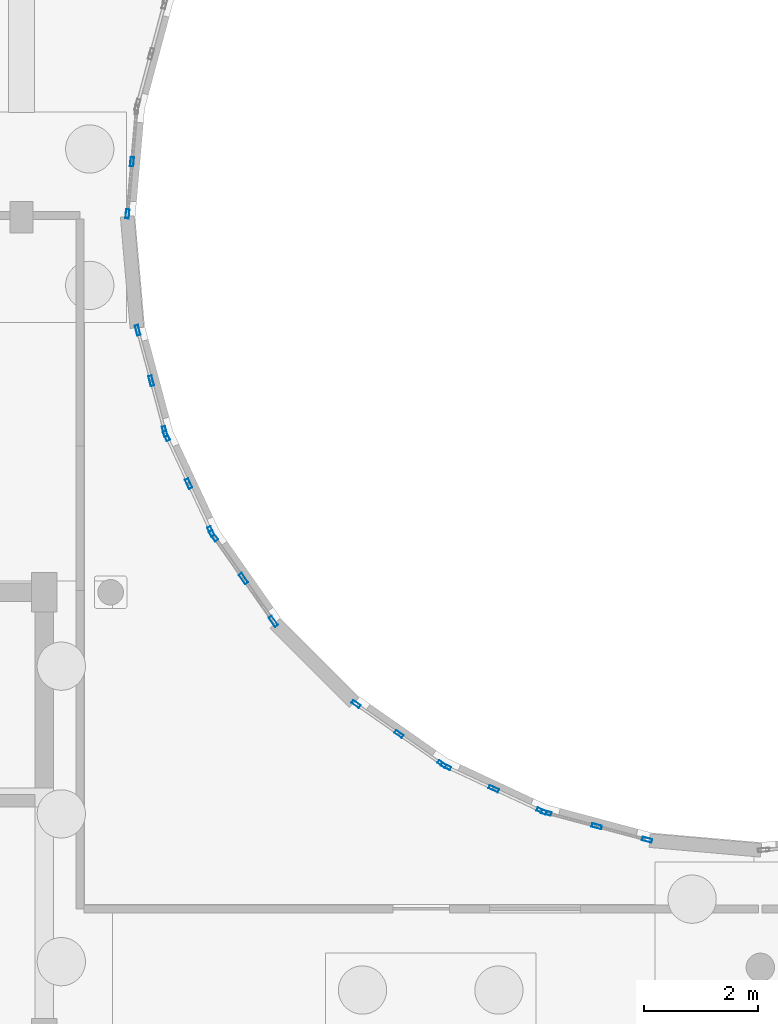
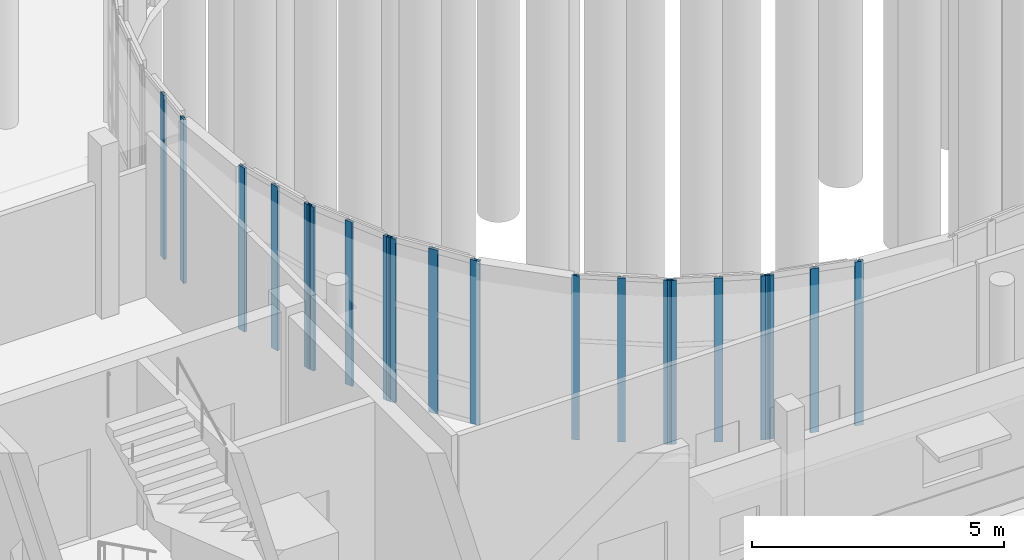
# One storey, part 28 of 93: 20 members, 7 elements without a shape of their own.
"""IFC4 building model written with IfcOpenShell, lengths in metres."""

import ifcopenshell
import ifcopenshell.guid

model = None  # the IFC model being written
_history = None  # IfcOwnerHistory: only IFC2X3 demands one
_inside = {}  # id of a spatial element -> (the spatial element, [elements in it])
_under = {}  # id of a project, library or spatial element -> (it, [spatial elements below it])
_declared = {}  # id of a project -> (the project, [libraries it declares])
_typed = {}  # id of a type object -> (the type object, [elements of that type])
_made_of = {}  # id of a material, layer set ... -> (it, [elements and type objects made of it])


def new_model(schema):
    """Start an empty IFC model of exactly this schema.

    Asked for "IFC4X3", IfcOpenShell would pick the latest addendum, in which some entities
    have other attributes; the version numbers below select the first issue.
    IFC2X3 requires an IfcOwnerHistory on every rooted entity: one is made here for all.
    """
    global model, _history
    if schema == "IFC4X3":
        model = ifcopenshell.file(schema_version=(4, 3, 0, 0))
    else:
        model = ifcopenshell.file(schema=schema)
    _inside.clear()
    _under.clear()
    _declared.clear()
    _typed.clear()
    _made_of.clear()
    _history = None
    if model.schema == "IFC2X3":
        org = make("IfcOrganization", Name="unknown")
        user = make(
            "IfcPersonAndOrganization",
            ThePerson=make("IfcPerson", FamilyName="unknown"),
            TheOrganization=org,
        )
        app = make(
            "IfcApplication",
            ApplicationDeveloper=org,
            Version="unknown",
            ApplicationFullName="unknown",
            ApplicationIdentifier="unknown",
        )
        _history = make(
            "IfcOwnerHistory",
            OwningUser=user,
            OwningApplication=app,
            ChangeAction="ADDED",
            CreationDate=0,
        )
    return model


def make(cls, **values):
    """One entity of the class cls with the attributes given. An attribute that is None is left unset."""
    return model.create_entity(
        cls, **{name: value for name, value in values.items() if value is not None}
    )


def rooted(cls, **values):
    """An entity with a GlobalId (a new one), such as an element, a storey or a relation."""
    return make(cls, GlobalId=ifcopenshell.guid.new(), OwnerHistory=_history, **values)


def si_unit(unit_type, name, prefix=None):
    """IfcSIUnit, for example si_unit("LENGTHUNIT", "METRE", prefix="MILLI")."""
    return make("IfcSIUnit", UnitType=unit_type, Prefix=prefix, Name=name)


def assignment(units):
    """IfcUnitAssignment: the units of a project."""
    return None if units is None else make("IfcUnitAssignment", Units=units)


def point(xyz):
    """IfcCartesianPoint."""
    return None if xyz is None else make("IfcCartesianPoint", Coordinates=xyz)


def direction(xyz):
    """IfcDirection."""
    return None if xyz is None else make("IfcDirection", DirectionRatios=xyz)


def frame(location, z_axis=None, x_axis=None):
    """IfcAxis2Placement3D, a coordinate frame: its origin and axes. An axis left out is left unset."""
    return make(
        "IfcAxis2Placement3D",
        Location=point(location),
        Axis=direction(z_axis),
        RefDirection=direction(x_axis),
    )


def frame_2d(location, x_axis=None):
    """IfcAxis2Placement2D, a coordinate frame in the plane: its origin and x axis."""
    return make(
        "IfcAxis2Placement2D", Location=point(location), RefDirection=direction(x_axis)
    )


def origin():
    """The frame at (0, 0, 0) with its axes left unset."""
    return frame((0.0, 0.0, 0.0))


def origin_2d():
    """The frame at (0, 0) in the plane with its x axis left unset."""
    return frame_2d((0.0, 0.0))


def place(relative_to, where):
    """IfcLocalPlacement: puts the frame where relative to a parent placement (None: the world)."""
    return make(
        "IfcLocalPlacement", PlacementRelTo=relative_to, RelativePlacement=where
    )


def context(
    kind, dimensions, precision=None, world=None, true_north=None, identifier=None
):
    """IfcGeometricRepresentationContext, for example the 3D "Model" context."""
    return make(
        "IfcGeometricRepresentationContext",
        ContextIdentifier=identifier,
        ContextType=kind,
        CoordinateSpaceDimension=dimensions,
        Precision=precision,
        WorldCoordinateSystem=world,
        TrueNorth=true_north,
    )


def subcontext(parent, identifier, kind, view, scale=None):
    """IfcGeometricRepresentationSubContext, for example "Body" below "Model"."""
    return make(
        "IfcGeometricRepresentationSubContext",
        ContextIdentifier=identifier,
        ContextType=kind,
        ParentContext=parent,
        TargetScale=scale,
        TargetView=view,
    )


def project(units=None, contexts=None):
    """IfcProject with its units and contexts."""
    return rooted(
        "IfcProject",
        Name="project",
        RepresentationContexts=contexts,
        UnitsInContext=assignment(units),
    )


def spatial(cls, under=None, at=None, **own):
    """A site, building, storey or space (cls), placed at a placement, below another one or the project."""
    s = rooted(cls, ObjectPlacement=at, **own)
    if under is not None:
        _under.setdefault(under.id(), (under, []))[1].append(s)
    return s


def profile(cls, at=None, kind="AREA", **sizes):
    """A parametric profile (cls). Its sizes go by their IFC names, for example OverallWidth=200.0."""
    return make(cls, ProfileType=kind, Position=at, **sizes)


def hollow_rectangle(**sizes):
    """IfcRectangleHollowProfileDef."""
    return profile("IfcRectangleHollowProfileDef", **sizes)


def extrude(swept, where, along, depth):
    """IfcExtrudedAreaSolid: the profile swept, set in the frame where, extruded along a direction by depth."""
    return make(
        "IfcExtrudedAreaSolid",
        SweptArea=swept,
        Position=where,
        ExtrudedDirection=direction(along),
        Depth=depth,
    )


def shape(context_of_items, identifier, shape_type, items):
    """IfcShapeRepresentation: the items that make up one representation, for example the "Body"."""
    return make(
        "IfcShapeRepresentation",
        ContextOfItems=context_of_items,
        RepresentationIdentifier=identifier,
        RepresentationType=shape_type,
        Items=items,
    )


def material(Name=None, Category=None):
    """IfcMaterial."""
    return make("IfcMaterial", Name=Name, Category=Category)


def layer(
    of_material, thickness, ventilated=None, Name=None, Category=None, Priority=None
):
    """IfcMaterialLayer: one layer of a wall or slab, of a material (None: an air gap)."""
    return make(
        "IfcMaterialLayer",
        Material=of_material,
        LayerThickness=thickness,
        IsVentilated=ventilated,
        Name=Name,
        Category=Category,
        Priority=Priority,
    )


def layer_set(layers, Name=None):
    """IfcMaterialLayerSet."""
    return make("IfcMaterialLayerSet", MaterialLayers=layers, LayerSetName=Name)


def material_profile(
    of_material, cross_section, Name=None, Category=None, Priority=None
):
    """IfcMaterialProfile: a cross section and its material."""
    return make(
        "IfcMaterialProfile",
        Name=Name,
        Material=of_material,
        Profile=cross_section,
        Priority=Priority,
        Category=Category,
    )


def profile_set(profiles, Name=None, composite=None):
    """IfcMaterialProfileSet."""
    return make(
        "IfcMaterialProfileSet",
        Name=Name,
        MaterialProfiles=profiles,
        CompositeProfile=composite,
    )


def made_of(thing, what):
    """Note that an element or type object is made of a material, layer set ...; save() writes the relation."""
    if what is not None:
        _made_of.setdefault(what.id(), (what, []))[1].append(thing)
    return thing


def type_object(cls, material=None, **own):
    """A type object (cls), such as IfcWallType, which elements share."""
    return made_of(rooted(cls, **own), material)


def element(
    cls,
    number,
    at=None,
    inside=None,
    cuts=None,
    type_object=None,
    material=None,
    context=None,
    identifier="Body",
    shape_type=None,
    held_by="IfcProductDefinitionShape",
    body=None,
    shapes=None,
    **own,
):
    """One element of the class cls, such as IfcWall. Its Tag is "e" and its number.

    at: its placement. inside: the storey or other place that contains it. cuts: it is an
    opening in that element (IfcRelVoidsElement). A single representation is given by context,
    identifier, shape_type and body (its items); several are given by shapes. held_by: the class
    of the entity that holds the representations. save() writes the other relations.
    """
    e = rooted(cls, Tag="e%d" % number, ObjectPlacement=at, **own)
    if body is not None:
        shapes = [shape(context, identifier, shape_type, body)]
    if shapes is not None:
        e.Representation = make(held_by, Representations=shapes)
    if inside is not None:
        _inside.setdefault(inside.id(), (inside, []))[1].append(e)
    if cuts is not None:
        rooted(
            "IfcRelVoidsElement", RelatingBuildingElement=cuts, RelatedOpeningElement=e
        )
    if type_object is not None:
        _typed.setdefault(type_object.id(), (type_object, []))[1].append(e)
    return made_of(e, material)


def aggregate(whole, parts):
    """IfcRelAggregates: a whole, such as a stair, and the parts it consists of."""
    return rooted("IfcRelAggregates", RelatingObject=whole, RelatedObjects=parts)


def save(model, path):
    """Write the relations noted so far, then the file.

    IfcRelAggregates (storeys below a building ...), IfcRelContainedInSpatialStructure (elements
    in a storey), IfcRelDefinesByType, IfcRelAssociatesMaterial and IfcRelDeclares: one each for
    every whole, place, type object, material and project.
    """
    for whole, parts in _under.values():
        aggregate(whole, parts)
    for where, things in _inside.values():
        rooted(
            "IfcRelContainedInSpatialStructure",
            RelatedElements=things,
            RelatingStructure=where,
        )
    for kind, things in _typed.values():
        rooted("IfcRelDefinesByType", RelatedObjects=things, RelatingType=kind)
    for what, things in _made_of.values():
        rooted("IfcRelAssociatesMaterial", RelatedObjects=things, RelatingMaterial=what)
    for by, libraries in _declared.values():
        rooted("IfcRelDeclares", RelatingContext=by, RelatedDefinitions=libraries)
    model.write(path)


model = new_model("IFC4")

# Units and contexts
model_context = context("Model", 3, precision=1e-05, world=origin(), true_north=direction((0.0, 1.0)))
body_context = subcontext(model_context, "Body", "Model", "MODEL_VIEW")
ifc_project = project(units=[si_unit("LENGTHUNIT", "METRE"), si_unit("AREAUNIT", "SQUARE_METRE"), si_unit("VOLUMEUNIT", "CUBIC_METRE"), si_unit("PLANEANGLEUNIT", "RADIAN"), si_unit("MASSUNIT", "GRAM", prefix="KILO")], contexts=[model_context])

# Site, building, storey
site_placement = place(None, origin())
site = spatial("IfcSite", under=ifc_project, at=site_placement, CompositionType="ELEMENT")
building_placement = place(site_placement, origin())
building = spatial("IfcBuilding", under=site, at=building_placement, Name="Kelanivale Promenade Academy", CompositionType="ELEMENT")
storey_placement = place(building_placement, origin())
storey = spatial("IfcBuildingStorey", under=building, at=storey_placement, Name="L00", CompositionType="ELEMENT", Elevation=0.0)

# Curtain wall, members
ifc_material_1 = material(Name="Bronze anodised aluminium and solar-control low-E glass", Category="aluminium")
ifc_layer_1 = layer(ifc_material_1, 0.169921875)
ifc_layer_set_1 = layer_set([ifc_layer_1], Name="Bronze anodised aluminium and solar-control low-E glass")
curtain_wall_type_1 = type_object("IfcCurtainWallType", Name="CW-13 Curtain Wall 1350mm Module", PredefinedType="USERDEFINED", material=ifc_layer_set_1)
curtain_wall_1_placement = place(storey_placement, origin())
curtain_wall_1 = element("IfcCurtainWall", 1, at=curtain_wall_1_placement, inside=storey, type_object=curtain_wall_type_1, Name="L00 courtyard curtain wall CW-13", ObjectType="COURTYARD SCREEN GLAZING", PredefinedType="USERDEFINED")
ifc_material_2 = material(Name="Bronze anodised aluminium EN AW-6063 T6", Category="aluminium")
ifc_material_profile_1 = material_profile(ifc_material_2, hollow_rectangle(XDim=0.06005859375, YDim=0.159912109375, WallThickness=0.00390625, at=origin_2d()), Name="ALU 60x160x4.0")
ifc_profile_set_1 = profile_set([ifc_material_profile_1], Name="Bronze anodised aluminium EN AW-6063 T6")
member_type_1 = type_object("IfcMemberType", Name="CWM-01 ALU 60x160x4.0", PredefinedType="MULLION", material=ifc_profile_set_1)
member_1_placement = place(storey_placement, frame((52.344970703125, 57.7744140625, 0.0), z_axis=(0.0, 0.0, 1.0), x_axis=(0.996185153601, -0.087264768066, 0.0)))
member_1 = element("IfcMember", 2, at=member_1_placement, type_object=member_type_1, Name="CW-13 mullion 2", PredefinedType="MULLION", context=body_context, shape_type="SweptSolid", body=[
    extrude(hollow_rectangle(XDim=0.06005859375, YDim=0.159912109375, WallThickness=0.00390625, at=origin_2d()), origin(), (0.0, 0.0, 1.0), 3.97998046875),
])
member_2_placement = place(storey_placement, frame((52.2646484375, 56.85693359375, 0.0), z_axis=(0.0, 0.0, 1.0), x_axis=(0.996185153601, -0.087264768066, 0.0)))
member_2 = element("IfcMember", 3, at=member_2_placement, type_object=member_type_1, Name="CW-13 mullion 3", PredefinedType="MULLION", context=body_context, shape_type="SweptSolid", body=[
    extrude(hollow_rectangle(XDim=0.06005859375, YDim=0.159912109375, WallThickness=0.00390625, at=origin_2d()), origin(), (0.0, 0.0, 1.0), 3.97998046875),
])
aggregate(curtain_wall_1, [member_1, member_2])

ifc_layer_2 = layer(ifc_material_1, 0.179931640625)
ifc_layer_set_2 = layer_set([ifc_layer_2], Name="Bronze anodised aluminium and solar-control low-E glass")
curtain_wall_type_2 = type_object("IfcCurtainWallType", Name="CW-17 Curtain Wall 1950mm Module", PredefinedType="USERDEFINED", material=ifc_layer_set_2)
curtain_wall_2_placement = place(storey_placement, origin())
curtain_wall_2 = element("IfcCurtainWall", 4, at=curtain_wall_2_placement, inside=storey, type_object=curtain_wall_type_2, Name="L00 courtyard curtain wall CW-17", ObjectType="COURTYARD SCREEN GLAZING", PredefinedType="USERDEFINED")
member_3_placement = place(storey_placement, frame((56.28564453125, 48.23291015625, 0.0), z_axis=(0.0, 0.0, 1.0), x_axis=(0.573356527561, 0.819305982099, 0.0)))
member_3 = element("IfcMember", 5, at=member_3_placement, type_object=member_type_1, Name="CW-17 mullion 1", PredefinedType="MULLION", context=body_context, shape_type="SweptSolid", body=[
    extrude(hollow_rectangle(XDim=0.06005859375, YDim=0.159912109375, WallThickness=0.00390625, at=origin_2d()), origin(), (0.0, 0.0, 1.0), 3.97998046875),
])
member_4_placement = place(storey_placement, frame((57.04052734375, 47.70458984375, 0.0), z_axis=(0.0, 0.0, 1.0), x_axis=(0.573356527561, 0.819305982099, 0.0)))
member_4 = element("IfcMember", 6, at=member_4_placement, type_object=member_type_1, Name="CW-17 mullion 2", PredefinedType="MULLION", context=body_context, shape_type="SweptSolid", body=[
    extrude(hollow_rectangle(XDim=0.06005859375, YDim=0.159912109375, WallThickness=0.00390625, at=origin_2d()), origin(), (0.0, 0.0, 1.0), 3.97998046875),
])
member_5_placement = place(storey_placement, frame((57.79541015625, 47.17626953125, 0.0), z_axis=(0.0, 0.0, 1.0), x_axis=(0.573356527561, 0.819305982099, 0.0)))
member_5 = element("IfcMember", 7, at=member_5_placement, type_object=member_type_1, Name="CW-17 mullion 3", PredefinedType="MULLION", context=body_context, shape_type="SweptSolid", body=[
    extrude(hollow_rectangle(XDim=0.06005859375, YDim=0.159912109375, WallThickness=0.00390625, at=origin_2d()), origin(), (0.0, 0.0, 1.0), 3.97998046875),
])
aggregate(curtain_wall_2, [member_3, member_4, member_5])

ifc_layer_3 = layer(ifc_material_1, 0.179931640625)
ifc_layer_set_3 = layer_set([ifc_layer_3], Name="Bronze anodised aluminium and solar-control low-E glass")
curtain_wall_type_3 = type_object("IfcCurtainWallType", Name="CW-14 Curtain Wall 1500mm Module", PredefinedType="USERDEFINED", material=ifc_layer_set_3)
curtain_wall_3_placement = place(storey_placement, origin())
curtain_wall_3 = element("IfcCurtainWall", 8, at=curtain_wall_3_placement, inside=storey, type_object=curtain_wall_type_3, Name="L00 courtyard curtain wall CW-14", ObjectType="COURTYARD SCREEN GLAZING", PredefinedType="USERDEFINED")
ifc_material_profile_2 = material_profile(ifc_material_2, hollow_rectangle(XDim=0.06005859375, YDim=0.179931640625, WallThickness=0.00390625, at=origin_2d()), Name="ALU 60x180x4.0")
ifc_profile_set_2 = profile_set([ifc_material_profile_2], Name="Bronze anodised aluminium EN AW-6063 T6")
member_type_2 = type_object("IfcMemberType", Name="CWM-02 ALU 60x180x4.0", PredefinedType="MULLION", material=ifc_profile_set_2)
member_6_placement = place(storey_placement, frame((52.44384765625, 54.81103515625, 0.0), z_axis=(0.0, 0.0, 1.0), x_axis=(0.965990259056, 0.258578458902, 0.0)))
member_6 = element("IfcMember", 9, at=member_6_placement, type_object=member_type_2, Name="CW-14 mullion 1", PredefinedType="MULLION", context=body_context, shape_type="SweptSolid", body=[
    extrude(hollow_rectangle(XDim=0.06005859375, YDim=0.179931640625, WallThickness=0.00390625, at=origin_2d()), origin(), (0.0, 0.0, 1.0), 3.97998046875),
])
member_7_placement = place(storey_placement, frame((52.681884765625, 53.9208984375, 0.0), z_axis=(0.0, 0.0, 1.0), x_axis=(0.965990259056, 0.258578458902, 0.0)))
member_7 = element("IfcMember", 10, at=member_7_placement, type_object=member_type_2, Name="CW-14 mullion 2", PredefinedType="MULLION", context=body_context, shape_type="SweptSolid", body=[
    extrude(hollow_rectangle(XDim=0.06005859375, YDim=0.179931640625, WallThickness=0.00390625, at=origin_2d()), origin(), (0.0, 0.0, 1.0), 3.97998046875),
])
member_8_placement = place(storey_placement, frame((52.920166015625, 53.031005859375, 0.0), z_axis=(0.0, 0.0, 1.0), x_axis=(0.965990259056, 0.258578458902, 0.0)))
member_8 = element("IfcMember", 11, at=member_8_placement, type_object=member_type_2, Name="CW-14 mullion 3", PredefinedType="MULLION", context=body_context, shape_type="SweptSolid", body=[
    extrude(hollow_rectangle(XDim=0.06005859375, YDim=0.179931640625, WallThickness=0.00390625, at=origin_2d()), origin(), (0.0, 0.0, 1.0), 3.97998046875),
])
aggregate(curtain_wall_3, [member_6, member_7, member_8])

ifc_layer_4 = layer(ifc_material_1, 0.159912109375)
ifc_layer_set_4 = layer_set([ifc_layer_4], Name="Bronze anodised aluminium and solar-control low-E glass")
curtain_wall_type_4 = type_object("IfcCurtainWallType", Name="CW-18 Curtain Wall 1200mm Module", PredefinedType="USERDEFINED", material=ifc_layer_set_4)
curtain_wall_4_placement = place(storey_placement, origin())
curtain_wall_4 = element("IfcCurtainWall", 12, at=curtain_wall_4_placement, inside=storey, type_object=curtain_wall_type_4, Name="L00 courtyard curtain wall CW-18", ObjectType="COURTYARD SCREEN GLAZING", PredefinedType="USERDEFINED")
member_9_placement = place(storey_placement, frame((57.8681640625, 47.13427734375, 0.0), z_axis=(0.0, 0.0, 1.0), x_axis=(0.422856921222, 0.906196460032, 0.0)))
member_9 = element("IfcMember", 13, at=member_9_placement, type_object=member_type_2, Name="CW-18 mullion 1", PredefinedType="MULLION", context=body_context, shape_type="SweptSolid", body=[
    extrude(hollow_rectangle(XDim=0.06005859375, YDim=0.179931640625, WallThickness=0.00390625, at=origin_2d()), origin(), (0.0, 0.0, 1.0), 3.97998046875),
])
member_10_placement = place(storey_placement, frame((58.7099609375, 46.741455078125, 0.0), z_axis=(0.0, 0.0, 1.0), x_axis=(0.422856921222, 0.906196460032, 0.0)))
member_10 = element("IfcMember", 14, at=member_10_placement, type_object=member_type_2, Name="CW-18 mullion 2", PredefinedType="MULLION", context=body_context, shape_type="SweptSolid", body=[
    extrude(hollow_rectangle(XDim=0.06005859375, YDim=0.179931640625, WallThickness=0.00390625, at=origin_2d()), origin(), (0.0, 0.0, 1.0), 3.97998046875),
])
member_11_placement = place(storey_placement, frame((59.5517578125, 46.3486328125, 0.0), z_axis=(0.0, 0.0, 1.0), x_axis=(0.422856921222, 0.906196460032, 0.0)))
member_11 = element("IfcMember", 15, at=member_11_placement, type_object=member_type_2, Name="CW-18 mullion 3", PredefinedType="MULLION", context=body_context, shape_type="SweptSolid", body=[
    extrude(hollow_rectangle(XDim=0.06005859375, YDim=0.179931640625, WallThickness=0.00390625, at=origin_2d()), origin(), (0.0, 0.0, 1.0), 3.97998046875),
])
aggregate(curtain_wall_4, [member_9, member_10, member_11])

ifc_layer_5 = layer(ifc_material_1, 0.159912109375)
ifc_layer_set_5 = layer_set([ifc_layer_5], Name="Bronze anodised aluminium and solar-control low-E glass")
curtain_wall_type_5 = type_object("IfcCurtainWallType", Name="CW-15 Curtain Wall 1650mm Module", PredefinedType="USERDEFINED", material=ifc_layer_set_5)
curtain_wall_5_placement = place(storey_placement, origin())
curtain_wall_5 = element("IfcCurtainWall", 16, at=curtain_wall_5_placement, inside=storey, type_object=curtain_wall_type_5, Name="L00 courtyard curtain wall CW-15", ObjectType="COURTYARD SCREEN GLAZING", PredefinedType="USERDEFINED")
ifc_material_profile_3 = material_profile(ifc_material_2, hollow_rectangle(XDim=0.06494140625, YDim=0.175048828125, WallThickness=0.00390625, at=origin_2d()), Name="ALU 65x175x4.0")
ifc_profile_set_3 = profile_set([ifc_material_profile_3], Name="Bronze anodised aluminium EN AW-6063 T6")
member_type_3 = type_object("IfcMemberType", Name="CWM-03 ALU 65x175x4.0", PredefinedType="MULLION", material=ifc_profile_set_3)
member_12_placement = place(storey_placement, frame((52.94970703125, 52.949462890625, 0.0), z_axis=(0.0, 0.0, 1.0), x_axis=(0.906196460032, 0.422856921222, 0.0)))
member_12 = element("IfcMember", 17, at=member_12_placement, type_object=member_type_3, Name="CW-15 mullion 1", PredefinedType="MULLION", context=body_context, shape_type="SweptSolid", body=[
    extrude(hollow_rectangle(XDim=0.06494140625, YDim=0.175048828125, WallThickness=0.00390625, at=origin_2d()), origin(), (0.0, 0.0, 1.0), 3.97998046875),
])
member_13_placement = place(storey_placement, frame((53.341552734375, 52.110107421875, 0.0), z_axis=(0.0, 0.0, 1.0), x_axis=(0.906196460032, 0.422856921222, 0.0)))
member_13 = element("IfcMember", 18, at=member_13_placement, type_object=member_type_3, Name="CW-15 mullion 2", PredefinedType="MULLION", context=body_context, shape_type="SweptSolid", body=[
    extrude(hollow_rectangle(XDim=0.06494140625, YDim=0.175048828125, WallThickness=0.00390625, at=origin_2d()), origin(), (0.0, 0.0, 1.0), 3.97998046875),
])
member_14_placement = place(storey_placement, frame((53.733154296875, 51.2705078125, 0.0), z_axis=(0.0, 0.0, 1.0), x_axis=(0.906196460032, 0.422856921222, 0.0)))
member_14 = element("IfcMember", 19, at=member_14_placement, type_object=member_type_3, Name="CW-15 mullion 3", PredefinedType="MULLION", context=body_context, shape_type="SweptSolid", body=[
    extrude(hollow_rectangle(XDim=0.06494140625, YDim=0.175048828125, WallThickness=0.00390625, at=origin_2d()), origin(), (0.0, 0.0, 1.0), 3.97998046875),
])
aggregate(curtain_wall_5, [member_12, member_13, member_14])

ifc_layer_6 = layer(ifc_material_1, 0.169921875)
ifc_layer_set_6 = layer_set([ifc_layer_6], Name="Bronze anodised aluminium and solar-control low-E glass")
curtain_wall_type_6 = type_object("IfcCurtainWallType", Name="CW-19 Curtain Wall 1350mm Module", PredefinedType="USERDEFINED", material=ifc_layer_set_6)
curtain_wall_6_placement = place(storey_placement, origin())
curtain_wall_6 = element("IfcCurtainWall", 20, at=curtain_wall_6_placement, inside=storey, type_object=curtain_wall_type_6, Name="L00 courtyard curtain wall CW-19", ObjectType="COURTYARD SCREEN GLAZING", PredefinedType="USERDEFINED")
member_15_placement = place(storey_placement, frame((59.63330078125, 46.319580078125, 0.0), z_axis=(0.0, 0.0, 1.0), x_axis=(0.258578458902, 0.965990259056, 0.0)))
member_15 = element("IfcMember", 21, at=member_15_placement, type_object=member_type_3, Name="CW-19 mullion 1", PredefinedType="MULLION", context=body_context, shape_type="SweptSolid", body=[
    extrude(hollow_rectangle(XDim=0.06494140625, YDim=0.175048828125, WallThickness=0.00390625, at=origin_2d()), origin(), (0.0, 0.0, 1.0), 3.97998046875),
])
member_16_placement = place(storey_placement, frame((60.52099609375, 46.08203125, 0.0), z_axis=(0.0, 0.0, 1.0), x_axis=(0.258578458902, 0.965990259056, 0.0)))
member_16 = element("IfcMember", 22, at=member_16_placement, type_object=member_type_3, Name="CW-19 mullion 2", PredefinedType="MULLION", context=body_context, shape_type="SweptSolid", body=[
    extrude(hollow_rectangle(XDim=0.06494140625, YDim=0.175048828125, WallThickness=0.00390625, at=origin_2d()), origin(), (0.0, 0.0, 1.0), 3.97998046875),
])
member_17_placement = place(storey_placement, frame((61.40869140625, 45.844482421875, 0.0), z_axis=(0.0, 0.0, 1.0), x_axis=(0.258578458902, 0.965990259056, 0.0)))
member_17 = element("IfcMember", 23, at=member_17_placement, type_object=member_type_3, Name="CW-19 mullion 3", PredefinedType="MULLION", context=body_context, shape_type="SweptSolid", body=[
    extrude(hollow_rectangle(XDim=0.06494140625, YDim=0.175048828125, WallThickness=0.00390625, at=origin_2d()), origin(), (0.0, 0.0, 1.0), 3.97998046875),
])
aggregate(curtain_wall_6, [member_15, member_16, member_17])

ifc_layer_7 = layer(ifc_material_1, 0.169921875)
ifc_layer_set_7 = layer_set([ifc_layer_7], Name="Bronze anodised aluminium and solar-control low-E glass")
curtain_wall_type_7 = type_object("IfcCurtainWallType", Name="CW-16 Curtain Wall 1800mm Module", PredefinedType="USERDEFINED", material=ifc_layer_set_7)
curtain_wall_7_placement = place(storey_placement, origin())
curtain_wall_7 = element("IfcCurtainWall", 24, at=curtain_wall_7_placement, inside=storey, type_object=curtain_wall_type_7, Name="L00 courtyard curtain wall CW-16", ObjectType="COURTYARD SCREEN GLAZING", PredefinedType="USERDEFINED")
ifc_material_profile_4 = material_profile(ifc_material_2, hollow_rectangle(XDim=0.06494140625, YDim=0.199951171875, WallThickness=0.00439453125, at=origin_2d()), Name="ALU 65x200x4.5")
ifc_profile_set_4 = profile_set([ifc_material_profile_4], Name="Bronze anodised aluminium EN AW-6063 T6")
member_type_4 = type_object("IfcMemberType", Name="CWM-04 ALU 65x200x4.5", PredefinedType="MULLION", material=ifc_profile_set_4)
member_18_placement = place(storey_placement, frame((53.777587890625, 51.193359375, 0.0), z_axis=(0.0, 0.0, 1.0), x_axis=(0.819305982099, 0.573356527561, 0.0)))
member_18 = element("IfcMember", 25, at=member_18_placement, type_object=member_type_4, Name="CW-16 mullion 1", PredefinedType="MULLION", context=body_context, shape_type="SweptSolid", body=[
    extrude(hollow_rectangle(XDim=0.06494140625, YDim=0.199951171875, WallThickness=0.00439453125, at=origin_2d()), origin(), (0.0, 0.0, 1.0), 3.97998046875),
])
member_19_placement = place(storey_placement, frame((54.304443359375, 50.4404296875, 0.0), z_axis=(0.0, 0.0, 1.0), x_axis=(0.819305982099, 0.573356527561, 0.0)))
member_19 = element("IfcMember", 26, at=member_19_placement, type_object=member_type_4, Name="CW-16 mullion 2", PredefinedType="MULLION", context=body_context, shape_type="SweptSolid", body=[
    extrude(hollow_rectangle(XDim=0.06494140625, YDim=0.199951171875, WallThickness=0.00439453125, at=origin_2d()), origin(), (0.0, 0.0, 1.0), 3.97998046875),
])
member_20_placement = place(storey_placement, frame((54.831298828125, 49.687744140625, 0.0), z_axis=(0.0, 0.0, 1.0), x_axis=(0.819305982099, 0.573356527561, 0.0)))
member_20 = element("IfcMember", 27, at=member_20_placement, type_object=member_type_4, Name="CW-16 mullion 3", PredefinedType="MULLION", context=body_context, shape_type="SweptSolid", body=[
    extrude(hollow_rectangle(XDim=0.06494140625, YDim=0.199951171875, WallThickness=0.00439453125, at=origin_2d()), origin(), (0.0, 0.0, 1.0), 3.97998046875),
])
aggregate(curtain_wall_7, [member_18, member_19, member_20])

save(model, "model.ifc")
